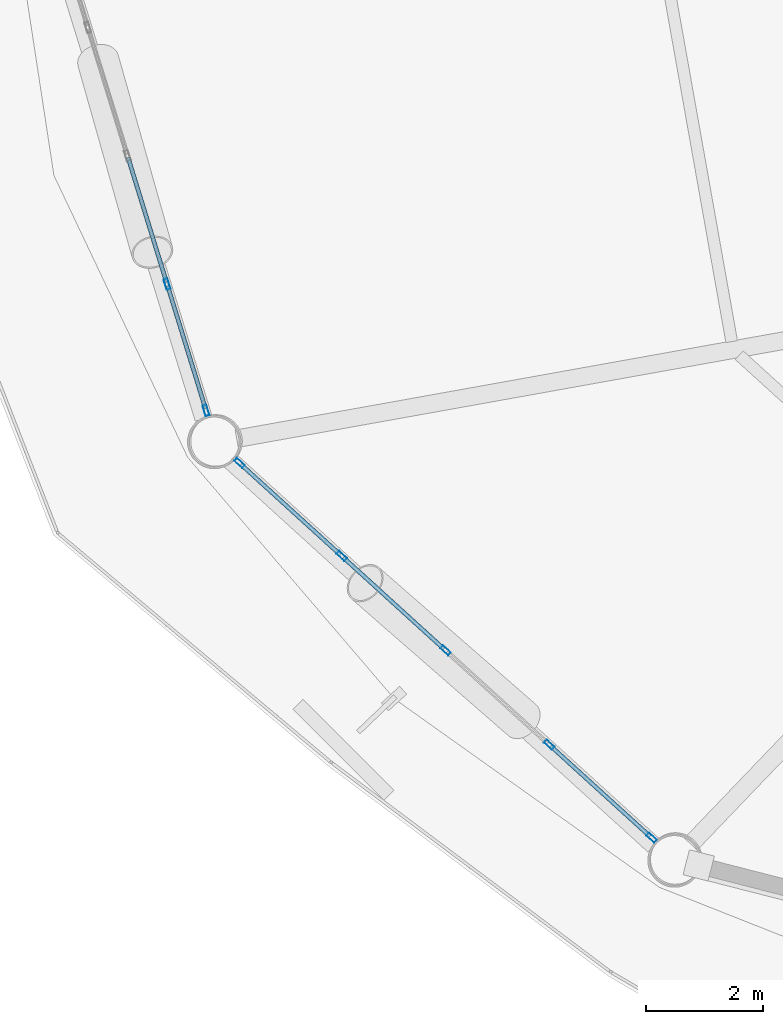
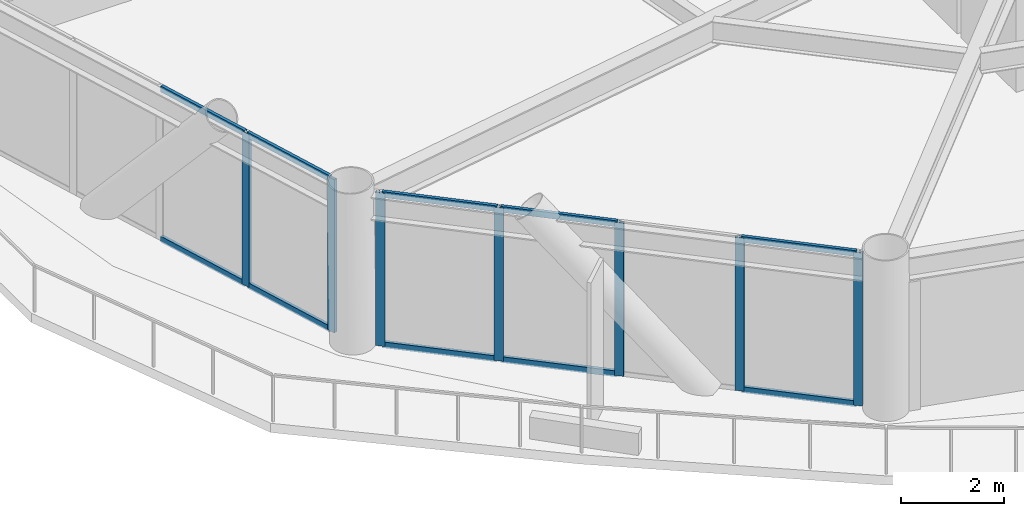
# One storey, part 2 of 22: 17 members, 2 elements without a shape of their own.
"""IFC4 building model written with IfcOpenShell, lengths in metres."""

from ifc_helpers import new_model, si_unit, direction, frame, origin, origin_2d, place, context, subcontext, project, spatial, hollow_rectangle, extrude, material, layer, layer_set, material_profile, profile_set, type_object, element, aggregate, save


model = new_model("IFC4")

# Units and contexts
model_context = context("Model", 3, precision=1e-05, world=origin(), true_north=direction((0.0, 1.0)))
body_context = subcontext(model_context, "Body", "Model", "MODEL_VIEW")
ifc_project = project(units=[si_unit("LENGTHUNIT", "METRE"), si_unit("AREAUNIT", "SQUARE_METRE"), si_unit("VOLUMEUNIT", "CUBIC_METRE"), si_unit("PLANEANGLEUNIT", "RADIAN"), si_unit("MASSUNIT", "GRAM", prefix="KILO")], contexts=[model_context])

# Site, building, storey
site_placement = place(None, origin())
site = spatial("IfcSite", under=ifc_project, at=site_placement, CompositionType="ELEMENT")
building_placement = place(site_placement, origin())
building = spatial("IfcBuilding", under=site, at=building_placement, Name="Varnakorn Sky Granary", CompositionType="ELEMENT")
storey_placement = place(building_placement, frame((0.0, 0.0, 66.60009765625)))
storey = spatial("IfcBuildingStorey", under=building, at=storey_placement, Name="L16", CompositionType="ELEMENT", Elevation=66.60009765625)

# Curtain wall, members
ifc_material = material(Name="Anodised Bronze Aluminium Alloy 6063-T6", Category="aluminium")
ifc_layer = layer(ifc_material, 0.18994140625, Name="Anodised Bronze Aluminium Alloy 6063-T6")
ifc_layer_set = layer_set([ifc_layer], Name="Anodised Bronze Aluminium Alloy 6063-T6")
curtain_wall_type = type_object("IfcCurtainWallType", Name="CW-FRM-1", PredefinedType="USERDEFINED", material=ifc_layer_set)
curtain_wall_1_placement = place(storey_placement, origin())
curtain_wall_1 = element("IfcCurtainWall", 1, at=curtain_wall_1_placement, inside=storey, type_object=curtain_wall_type, Name="Unitised Curtain Wall CW3 CW-L16-B07", ObjectType="CURTAIN WALL", PredefinedType="USERDEFINED")
ifc_material_profile_1 = material_profile(ifc_material, hollow_rectangle(XDim=0.070068359375, YDim=0.18505859375, WallThickness=0.00390625, at=origin_2d()), Name="ALU MULL 70x185")
ifc_profile_set_1 = profile_set([ifc_material_profile_1], Name="Anodised Bronze Aluminium Alloy 6063-T6")
member_type_1 = type_object("IfcMemberType", Name="CW-FRM-1-MULL", PredefinedType="MULLION", material=ifc_profile_set_1)
member_1_placement = place(storey_placement, frame((-20.259765625, -9.236083984375, 0.0), z_axis=(0.0, 0.0, 1.0), x_axis=(-0.955563090917, -0.2947866674, 0.0)))
member_1 = element("IfcMember", 2, at=member_1_placement, type_object=member_type_1, Name="CW3 mullion 1", PredefinedType="MULLION", context=body_context, shape_type="SweptSolid", body=[
    extrude(hollow_rectangle(XDim=0.070068359375, YDim=0.18505859375, WallThickness=0.00390625, at=origin_2d()), origin(), (0.0, 0.0, 1.0), 3.639892578125),
])
member_2_placement = place(storey_placement, frame((-20.92626953125, -7.07568359375, 0.0), z_axis=(0.0, 0.0, 1.0), x_axis=(-0.955563090917, -0.2947866674, 0.0)))
member_2 = element("IfcMember", 3, at=member_2_placement, type_object=member_type_1, Name="CW3 mullion 2", PredefinedType="MULLION", context=body_context, shape_type="SweptSolid", body=[
    extrude(hollow_rectangle(XDim=0.070068359375, YDim=0.18505859375, WallThickness=0.00390625, at=origin_2d()), origin(), (0.0, 0.0, 1.0), 3.639892578125),
])

curtain_wall_2_placement = place(storey_placement, origin())
curtain_wall_2 = element("IfcCurtainWall", 4, at=curtain_wall_2_placement, inside=storey, type_object=curtain_wall_type, Name="Unitised Curtain Wall CW3 CW-L16-B08", ObjectType="CURTAIN WALL", PredefinedType="USERDEFINED")
member_3_placement = place(storey_placement, frame((-12.6455078125, -16.53955078125, 0.0), z_axis=(0.0, 0.0, 1.0), x_axis=(-0.672775554803, -0.739846641446, 0.0)))
member_3 = element("IfcMember", 5, at=member_3_placement, type_object=member_type_1, Name="CW3 mullion 1", PredefinedType="MULLION", context=body_context, shape_type="SweptSolid", body=[
    extrude(hollow_rectangle(XDim=0.070068359375, YDim=0.18505859375, WallThickness=0.00390625, at=origin_2d()), origin(), (0.0, 0.0, 1.0), 3.639892578125),
])
member_4_placement = place(storey_placement, frame((-14.393310546875, -14.9501953125, 0.0), z_axis=(0.0, 0.0, 1.0), x_axis=(-0.672775554803, -0.739846641446, 0.0)))
member_4 = element("IfcMember", 6, at=member_4_placement, type_object=member_type_1, Name="CW3 mullion 2", PredefinedType="MULLION", context=body_context, shape_type="SweptSolid", body=[
    extrude(hollow_rectangle(XDim=0.070068359375, YDim=0.18505859375, WallThickness=0.00390625, at=origin_2d()), origin(), (0.0, 0.0, 1.0), 3.639892578125),
])
member_5_placement = place(storey_placement, frame((-16.1669921875, -13.337158203125, 0.0), z_axis=(0.0, 0.0, 1.0), x_axis=(-0.672775554803, -0.739846641446, 0.0)))
member_5 = element("IfcMember", 7, at=member_5_placement, type_object=member_type_1, Name="CW3 mullion 3", PredefinedType="MULLION", context=body_context, shape_type="SweptSolid", body=[
    extrude(hollow_rectangle(XDim=0.070068359375, YDim=0.18505859375, WallThickness=0.00390625, at=origin_2d()), origin(), (0.0, 0.0, 1.0), 3.639892578125),
])
member_6_placement = place(storey_placement, frame((-17.940673828125, -11.724365234375, 0.0), z_axis=(0.0, 0.0, 1.0), x_axis=(-0.672775554803, -0.739846641446, 0.0)))
member_6 = element("IfcMember", 8, at=member_6_placement, type_object=member_type_1, Name="CW3 mullion 4", PredefinedType="MULLION", context=body_context, shape_type="SweptSolid", body=[
    extrude(hollow_rectangle(XDim=0.070068359375, YDim=0.18505859375, WallThickness=0.00390625, at=origin_2d()), origin(), (0.0, 0.0, 1.0), 3.639892578125),
])
member_7_placement = place(storey_placement, frame((-19.688720703125, -10.134765625, 0.0), z_axis=(0.0, 0.0, 1.0), x_axis=(-0.672775554803, -0.739846641446, 0.0)))
member_7 = element("IfcMember", 9, at=member_7_placement, type_object=member_type_1, Name="CW3 mullion 5", PredefinedType="MULLION", context=body_context, shape_type="SweptSolid", body=[
    extrude(hollow_rectangle(XDim=0.070068359375, YDim=0.18505859375, WallThickness=0.00390625, at=origin_2d()), origin(), (0.0, 0.0, 1.0), 3.639892578125),
])

# Member
ifc_material_profile_2 = material_profile(ifc_material, hollow_rectangle(XDim=0.070068359375, YDim=0.139892578125, WallThickness=0.00341796875, at=origin_2d()), Name="ALU TRAN 70x140")
ifc_profile_set_2 = profile_set([ifc_material_profile_2], Name="Anodised Bronze Aluminium Alloy 6063-T6")
member_type_2 = type_object("IfcMemberType", Name="CW-FRM-1-TRAN", PredefinedType="USERDEFINED", material=ifc_profile_set_2)
member_8_placement = place(storey_placement, frame((-20.27001953125, -9.20263671875, 0.034912109375), z_axis=(-0.294751388896, 0.955573973454, 0.0), x_axis=(-0.955573973454, -0.294751388896, 0.0)))
member_8 = element("IfcMember", 10, at=member_8_placement, type_object=member_type_2, Name="CW3 transom 1.1", ObjectType="TRANSOM", PredefinedType="USERDEFINED", context=body_context, shape_type="SweptSolid", body=[
    extrude(hollow_rectangle(XDim=0.070068359375, YDim=0.139892578125, WallThickness=0.00341796875, at=origin_2d()), origin(), (0.0, 0.0, 1.0), 2.19091796875),
])

member_9_placement = place(storey_placement, frame((-20.27001953125, -9.20263671875, 3.60498046875), z_axis=(-0.294751388896, 0.955573973454, 0.0), x_axis=(-0.955573973454, -0.294751388896, 0.0)))
member_9 = element("IfcMember", 11, at=member_9_placement, type_object=member_type_2, Name="CW3 transom 1.2", ObjectType="TRANSOM", PredefinedType="USERDEFINED", context=body_context, shape_type="SweptSolid", body=[
    extrude(hollow_rectangle(XDim=0.070068359375, YDim=0.139892578125, WallThickness=0.00341796875, at=origin_2d()), origin(), (0.0, 0.0, 1.0), 2.19091796875),
])

member_10_placement = place(storey_placement, frame((-20.9365234375, -7.042236328125, 0.034912109375), z_axis=(-0.294825670699, 0.955551057713, 0.0), x_axis=(-0.955551057713, -0.294825670699, 0.0)))
member_10 = element("IfcMember", 12, at=member_10_placement, type_object=member_type_2, Name="CW3 transom 2.1", ObjectType="TRANSOM", PredefinedType="USERDEFINED", context=body_context, shape_type="SweptSolid", body=[
    extrude(hollow_rectangle(XDim=0.070068359375, YDim=0.139892578125, WallThickness=0.00341796875, at=origin_2d()), origin(), (0.0, 0.0, 1.0), 2.225830078125),
])

member_11_placement = place(storey_placement, frame((-20.9365234375, -7.042236328125, 3.60498046875), z_axis=(-0.294825670699, 0.955551057713, 0.0), x_axis=(-0.955551057713, -0.294825670699, 0.0)))
member_11 = element("IfcMember", 13, at=member_11_placement, type_object=member_type_2, Name="CW3 transom 2.2", ObjectType="TRANSOM", PredefinedType="USERDEFINED", context=body_context, shape_type="SweptSolid", body=[
    extrude(hollow_rectangle(XDim=0.070068359375, YDim=0.139892578125, WallThickness=0.00341796875, at=origin_2d()), origin(), (0.0, 0.0, 1.0), 2.225830078125),
])

aggregate(curtain_wall_1, [member_1, member_2, member_8, member_9, member_10, member_11])

member_12_placement = place(storey_placement, frame((-12.67138671875, -16.51611328125, 0.034912109375), z_axis=(-0.73980513557, 0.672821195701, 0.0), x_axis=(-0.672821195701, -0.73980513557, 0.0)))
member_12 = element("IfcMember", 14, at=member_12_placement, type_object=member_type_2, Name="CW3 transom 1.1", ObjectType="TRANSOM", PredefinedType="USERDEFINED", context=body_context, shape_type="SweptSolid", body=[
    extrude(hollow_rectangle(XDim=0.070068359375, YDim=0.139892578125, WallThickness=0.00341796875, at=origin_2d()), origin(), (0.0, 0.0, 1.0), 2.29248046875),
])

member_13_placement = place(storey_placement, frame((-12.67138671875, -16.51611328125, 3.60498046875), z_axis=(-0.73980513557, 0.672821195701, 0.0), x_axis=(-0.672821195701, -0.73980513557, 0.0)))
member_13 = element("IfcMember", 15, at=member_13_placement, type_object=member_type_2, Name="CW3 transom 1.2", ObjectType="TRANSOM", PredefinedType="USERDEFINED", context=body_context, shape_type="SweptSolid", body=[
    extrude(hollow_rectangle(XDim=0.070068359375, YDim=0.139892578125, WallThickness=0.00341796875, at=origin_2d()), origin(), (0.0, 0.0, 1.0), 2.29248046875),
])

member_14_placement = place(storey_placement, frame((-16.19287109375, -13.313720703125, 0.034912109375), z_axis=(-0.7398261494, 0.672798089076, 0.0), x_axis=(-0.672798089076, -0.7398261494, 0.0)))
member_14 = element("IfcMember", 16, at=member_14_placement, type_object=member_type_2, Name="CW3 transom 3.1", ObjectType="TRANSOM", PredefinedType="USERDEFINED", context=body_context, shape_type="SweptSolid", body=[
    extrude(hollow_rectangle(XDim=0.070068359375, YDim=0.139892578125, WallThickness=0.00341796875, at=origin_2d()), origin(), (0.0, 0.0, 1.0), 2.327392578125),
])

member_15_placement = place(storey_placement, frame((-16.19287109375, -13.313720703125, 3.60498046875), z_axis=(-0.7398261494, 0.672798089076, 0.0), x_axis=(-0.672798089076, -0.7398261494, 0.0)))
member_15 = element("IfcMember", 17, at=member_15_placement, type_object=member_type_2, Name="CW3 transom 3.2", ObjectType="TRANSOM", PredefinedType="USERDEFINED", context=body_context, shape_type="SweptSolid", body=[
    extrude(hollow_rectangle(XDim=0.070068359375, YDim=0.139892578125, WallThickness=0.00341796875, at=origin_2d()), origin(), (0.0, 0.0, 1.0), 2.327392578125),
])

member_16_placement = place(storey_placement, frame((-17.966552734375, -11.70068359375, 0.034912109375), z_axis=(-0.739858144539, 0.672762904714, 0.0), x_axis=(-0.672762904714, -0.739858144539, 0.0)))
member_16 = element("IfcMember", 18, at=member_16_placement, type_object=member_type_2, Name="CW3 transom 4.1", ObjectType="TRANSOM", PredefinedType="USERDEFINED", context=body_context, shape_type="SweptSolid", body=[
    extrude(hollow_rectangle(XDim=0.070068359375, YDim=0.139892578125, WallThickness=0.00341796875, at=origin_2d()), origin(), (0.0, 0.0, 1.0), 2.29248046875),
])

member_17_placement = place(storey_placement, frame((-17.966552734375, -11.70068359375, 3.60498046875), z_axis=(-0.739858144539, 0.672762904714, 0.0), x_axis=(-0.672762904714, -0.739858144539, 0.0)))
member_17 = element("IfcMember", 19, at=member_17_placement, type_object=member_type_2, Name="CW3 transom 4.2", ObjectType="TRANSOM", PredefinedType="USERDEFINED", context=body_context, shape_type="SweptSolid", body=[
    extrude(hollow_rectangle(XDim=0.070068359375, YDim=0.139892578125, WallThickness=0.00341796875, at=origin_2d()), origin(), (0.0, 0.0, 1.0), 2.29248046875),
])

aggregate(curtain_wall_2, [member_3, member_4, member_5, member_6, member_7, member_12, member_13, member_14, member_15, member_16, member_17])

save(model, "model.ifc")
